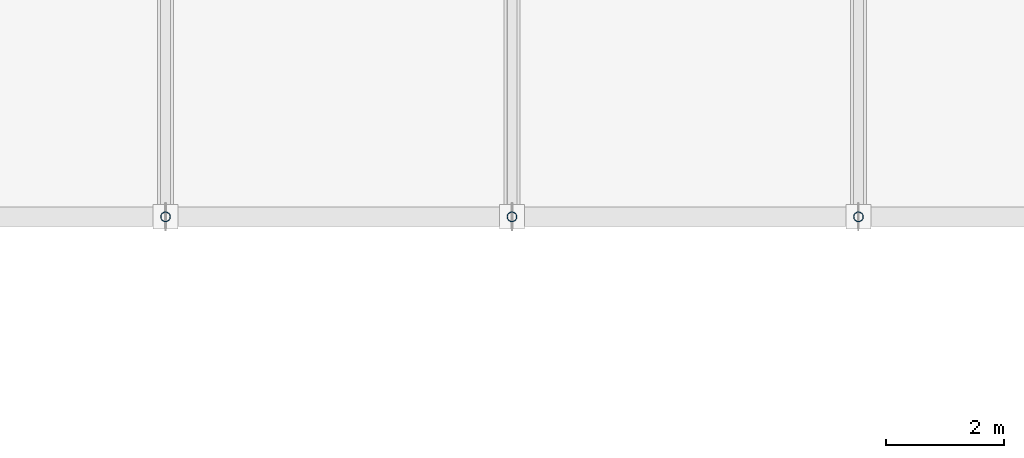
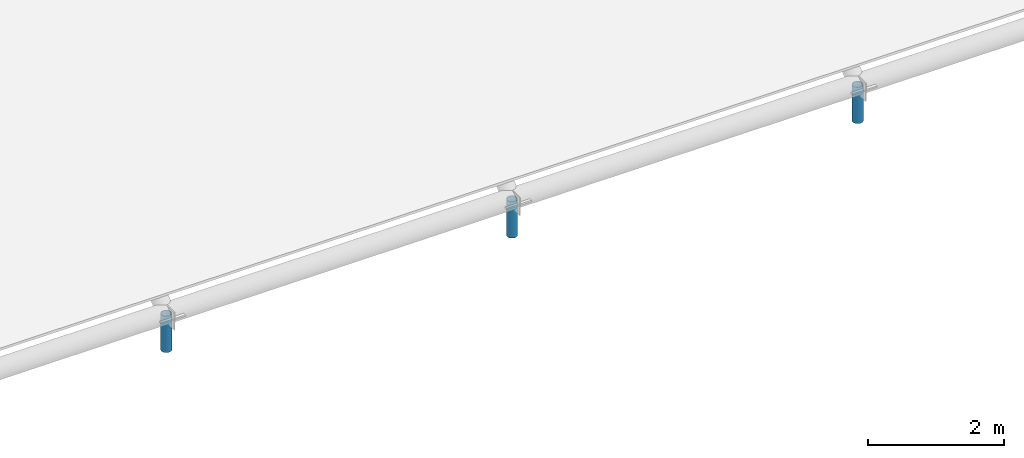
# One storey, part 70 of 82: 3 members.
"""IFC4 building model written with IfcOpenShell, lengths in metres."""

from ifc_helpers import new_model, si_unit, direction, frame, origin, origin_2d, place, context, subcontext, project, spatial, hollow_circle, extrude, material, material_profile, profile_set, type_object, element, save


model = new_model("IFC4")

# Units and contexts
model_context = context("Model", 3, precision=1e-05, world=origin(), true_north=direction((0.0, 1.0)))
body_context = subcontext(model_context, "Body", "Model", "MODEL_VIEW")
ifc_project = project(units=[si_unit("LENGTHUNIT", "METRE"), si_unit("AREAUNIT", "SQUARE_METRE"), si_unit("VOLUMEUNIT", "CUBIC_METRE"), si_unit("PLANEANGLEUNIT", "RADIAN"), si_unit("MASSUNIT", "GRAM", prefix="KILO")], contexts=[model_context])

# Site, building, storey
site_placement = place(None, origin())
site = spatial("IfcSite", under=ifc_project, at=site_placement, CompositionType="ELEMENT")
building_placement = place(site_placement, origin())
building = spatial("IfcBuilding", under=site, at=building_placement, Name="Bramfleet General Hospital", CompositionType="ELEMENT")
storey_placement = place(building_placement, frame((0.0, 0.0, 34.199951171875)))
storey = spatial("IfcBuildingStorey", under=building, at=storey_placement, Name="Roof", CompositionType="ELEMENT", Elevation=34.199951171875)

# Members
ifc_material = material(Name="Steel S355", Category="steel")
ifc_material_profile = material_profile(ifc_material, hollow_circle(Radius=0.084228515625, WallThickness=0.008056640625, at=origin_2d()), Name="CHS 168.3x8.0")
ifc_profile_set = profile_set([ifc_material_profile], Name="Steel S355")
member_type = type_object("IfcMemberType", Name="MEM-SF-DG1", PredefinedType="STRUT", material=ifc_profile_set)
for number, where, z_axis, x_axis, name in (
    (1, (74.335693359375, 17.25, -20.099853515625), (0.0, 0.0, 1.0), (1.0, 0.0, 0.0), "Space Frame Springing Pedestal 4-0"),
    (2, (80.20703125, 17.25, -20.099853515625), (0.0, 0.0, 1.0), (1.0, 0.0, 0.0), "Space Frame Springing Pedestal 5-0"),
    (3, (86.07861328125, 17.25, -20.099853515625), (0.0, 0.0, 1.0), (1.0, 0.0, 0.0), "Space Frame Springing Pedestal 6-0"),
):
    element("IfcMember", number, at=place(storey_placement, frame(where, z_axis=z_axis, x_axis=x_axis)), inside=storey, type_object=member_type, Name=name, PredefinedType="STRUT", context=body_context, shape_type="SweptSolid", body=[
        extrude(hollow_circle(Radius=0.084228515625, WallThickness=0.008056640625, at=origin_2d()), origin(), (0.0, 0.0, 1.0), 0.64990234375),
    ])

save(model, "model.ifc")
